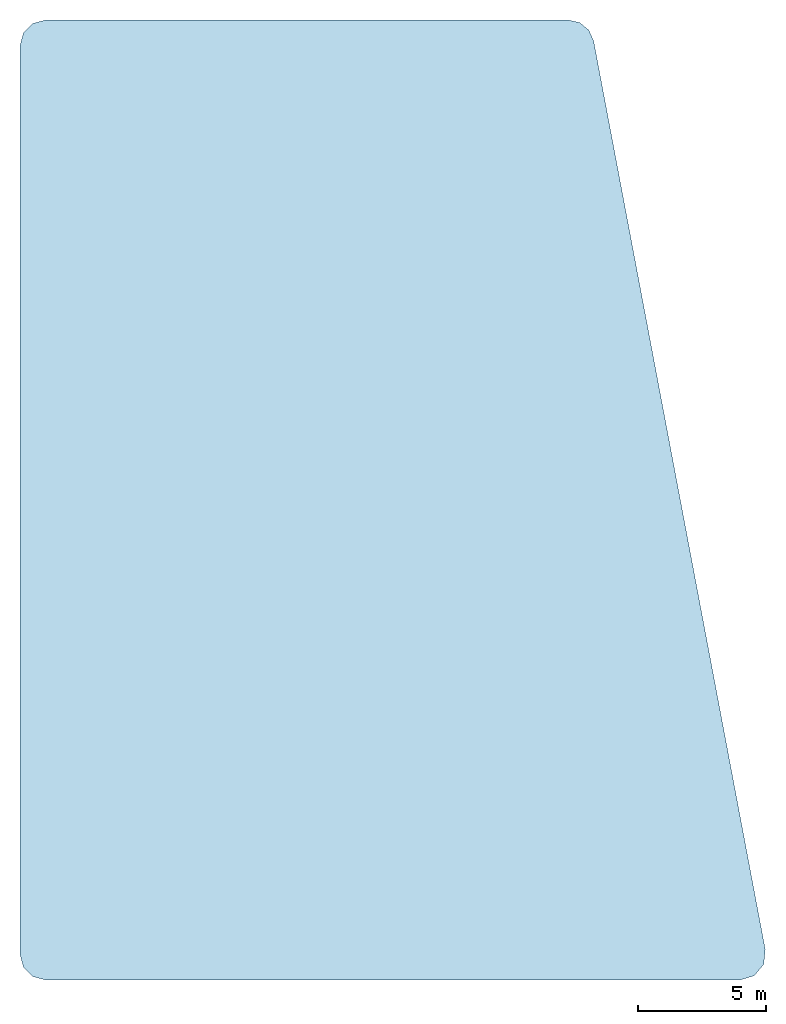
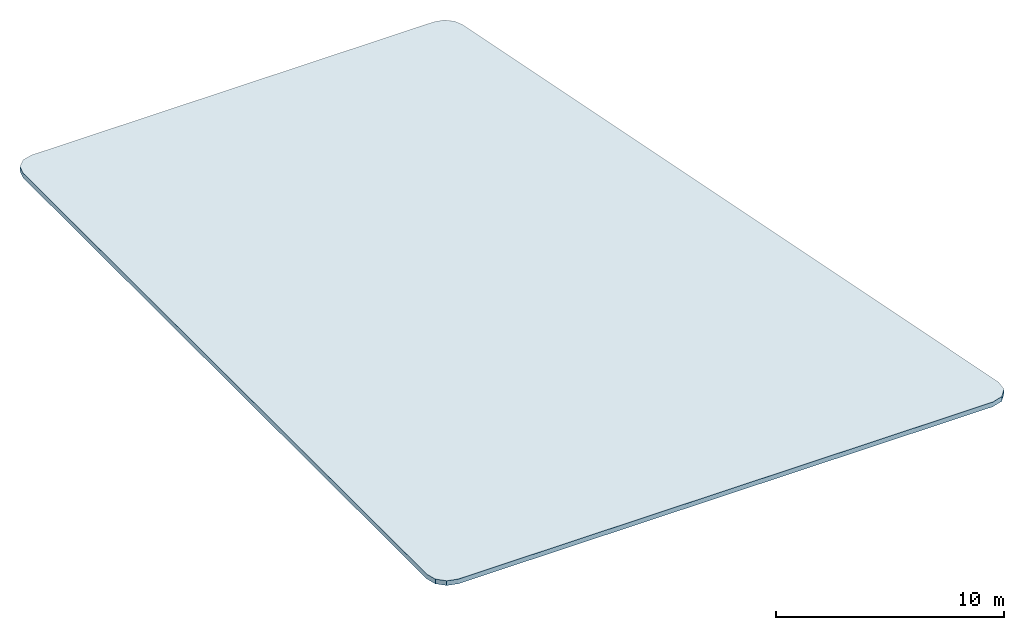
# One storey, part 1 of 2: 1 slab.
"""IFC4 building model written with IfcOpenShell, lengths in metres."""

from ifc_helpers import new_model, si_unit, direction, frame, origin, place, context, subcontext, project, spatial, polyline, outline, extrude, material, layer, layer_set, type_object, element, save


model = new_model("IFC4")

# Units and contexts
model_context = context("Model", 3, precision=1e-05, world=origin(), true_north=direction((0.0, 1.0)))
body_context = subcontext(model_context, "Body", "Model", "MODEL_VIEW")
ifc_project = project(units=[si_unit("LENGTHUNIT", "METRE"), si_unit("AREAUNIT", "SQUARE_METRE"), si_unit("VOLUMEUNIT", "CUBIC_METRE"), si_unit("PLANEANGLEUNIT", "RADIAN"), si_unit("MASSUNIT", "GRAM", prefix="KILO")], contexts=[model_context])

# Site, building, storey
site_placement = place(None, origin())
site = spatial("IfcSite", under=ifc_project, at=site_placement, CompositionType="ELEMENT")
building_placement = place(site_placement, origin())
building = spatial("IfcBuilding", under=site, at=building_placement, Name="Sheger Commons Tower", CompositionType="ELEMENT")
storey_placement = place(building_placement, frame((0.0, 0.0, 307.199951171875)))
storey = spatial("IfcBuildingStorey", under=building, at=storey_placement, Name="ROOF", CompositionType="ELEMENT", Elevation=307.199951171875)

# Slab
ifc_material = material(Name="Concrete C35/45", Category="concrete")
ifc_layer = layer(ifc_material, 0.25)
ifc_layer_set = layer_set([ifc_layer], Name="SLAB ROOF 250")
slab_type = type_object("IfcSlabType", Name="SLAB ROOF 250", PredefinedType="ROOF", material=ifc_layer_set)
slab_placement = place(storey_placement, frame((0.0, 0.0, -0.25)))
element("IfcSlab", 1, at=slab_placement, inside=storey, type_object=slab_type, Name="Lantern roof", PredefinedType="ROOF", context=body_context, shape_type="SweptSolid", body=[
    extrude(outline(polyline([(20.75, 7.64990234375), (20.884033203125, 7.14990234375), (21.25, 6.783935546875), (21.75, 6.64990234375), (48.802001953125, 6.64990234375), (49.35498046875, 6.81689453125), (49.72412109375, 7.260986328125), (49.784912109375, 7.8359375), (43.097900390625, 43.236083984375), (42.912109375, 43.654052734375), (42.56005859375, 43.945068359375), (42.114990234375, 44.050048828125), (21.75, 44.050048828125), (21.25, 43.916015625), (20.884033203125, 43.550048828125), (20.75, 43.050048828125), (20.75, 7.64990234375)])), origin(), (0.0, 0.0, 1.0), 0.25),
])

save(model, "model.ifc")
